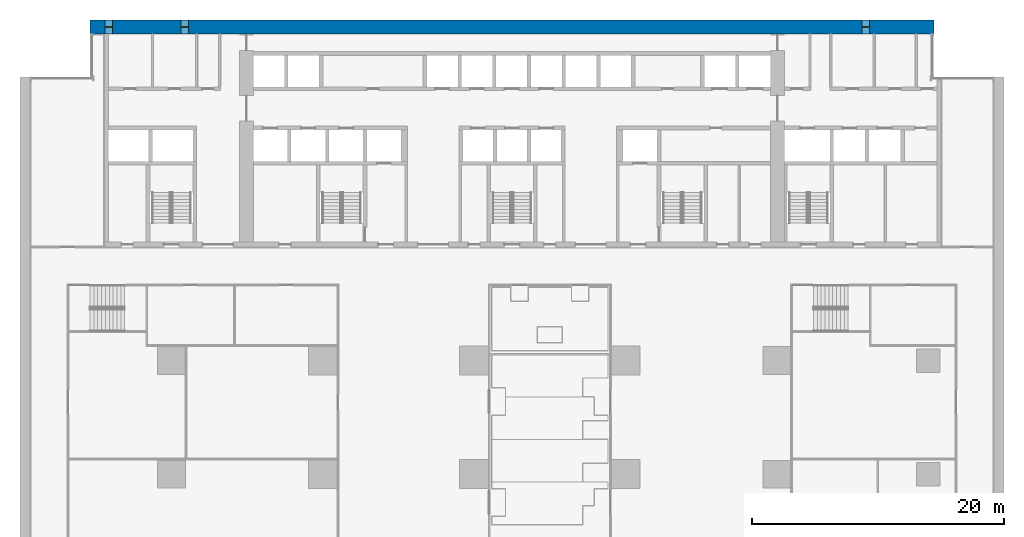
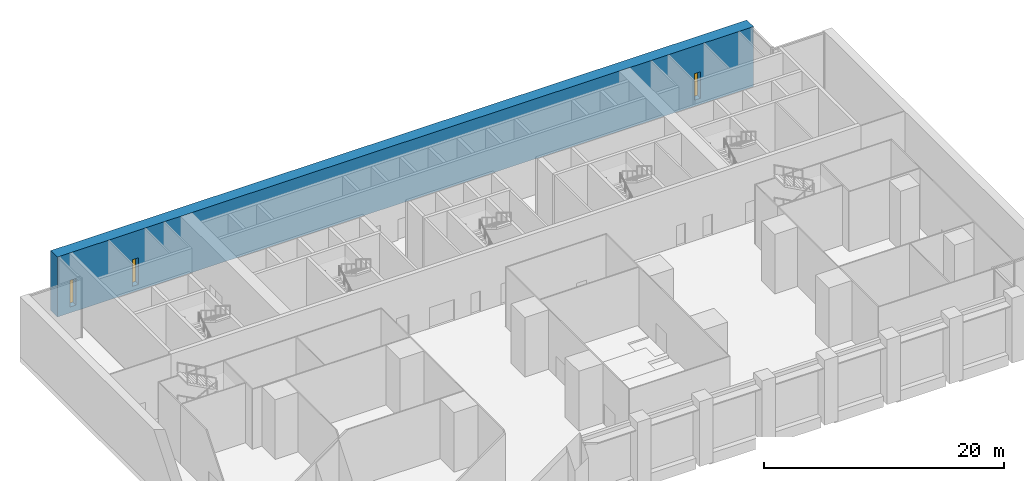
# One storey, part 10 of 18: 3 windows, 1 wall, 3 openings.
"""IFC4 building model written with IfcOpenShell, lengths in metres."""

from ifc_helpers import new_model, si_unit, direction, frame, frame_2d, origin, place, context, subcontext, project, spatial, rectangle, extrude, material, layer, layer_set, type_object, element, fill, save


model = new_model("IFC4")

# Units and contexts
model_context = context("Model", 3, precision=1e-05, world=origin(), true_north=direction((0.0, 1.0)))
body_context = subcontext(model_context, "Body", "Model", "MODEL_VIEW")
ifc_project = project(units=[si_unit("LENGTHUNIT", "METRE"), si_unit("AREAUNIT", "SQUARE_METRE"), si_unit("VOLUMEUNIT", "CUBIC_METRE"), si_unit("PLANEANGLEUNIT", "RADIAN"), si_unit("MASSUNIT", "GRAM", prefix="KILO")], contexts=[model_context])

# Site, building, storey
site_placement = place(None, origin())
site = spatial("IfcSite", under=ifc_project, at=site_placement, CompositionType="ELEMENT")
building_placement = place(site_placement, origin())
building = spatial("IfcBuilding", under=site, at=building_placement, Name="Calvaro Tower", CompositionType="ELEMENT")
storey_placement = place(building_placement, frame((0.0, 0.0, 11.300048828125)))
storey = spatial("IfcBuildingStorey", under=building, at=storey_placement, Name="L02", CompositionType="ELEMENT", Elevation=11.300048828125)

# Wall, openings, windows
ifc_material_1 = material(Name="Concrete C80/95", Category="concrete")
ifc_layer = layer(ifc_material_1, 1.10009765625)
ifc_layer_set = layer_set([ifc_layer], Name="Concrete C80/95")
wall_type = type_object("IfcWallType", Name="Rear core wall 1100 C80/95", PredefinedType="SHEAR", material=ifc_layer_set)
wall_placement = place(storey_placement, frame((5.550048828125, 45.449951171875, 0.0), z_axis=(0.0, 0.0, 1.0), x_axis=(1.0, 0.0, 0.0)))
wall = element("IfcWall", 1, at=wall_placement, inside=storey, type_object=wall_type, Name="North core wall", PredefinedType="SHEAR", context=body_context, shape_type="SweptSolid", body=[
    extrude(rectangle(XDim=66.89990234375, YDim=1.10009765625, at=frame_2d((33.449951171875, 0.0))), origin(), (0.0, 0.0, 1.0), 6.099853515625),
])
opening_1_placement = place(wall_placement, frame((1.199951171875, 0.0, 0.60009765625)))
opening_1 = element("IfcOpeningElement", 2, at=opening_1_placement, cuts=wall, Name="Opening WN01", PredefinedType="OPENING", context=body_context, shape_type="SweptSolid", body=[
    extrude(rectangle(XDim=0.60009765625, YDim=2.699951171875, at=frame_2d((0.300048828125, 1.35009765625))), frame((0.0, 0.56005859375, 0.0), z_axis=(0.0, -1.0, 0.0), x_axis=(1.0, 0.0, 0.0)), (0.0, 0.0, 1.0), 1.1201171875),
])
opening_2_placement = place(wall_placement, frame((7.199951171875, 0.0, 0.60009765625)))
opening_2 = element("IfcOpeningElement", 3, at=opening_2_placement, cuts=wall, Name="Opening WN02", PredefinedType="OPENING", context=body_context, shape_type="SweptSolid", body=[
    extrude(rectangle(XDim=0.60009765625, YDim=2.699951171875, at=frame_2d((0.300048828125, 1.35009765625))), frame((0.0, 0.56005859375, 0.0), z_axis=(0.0, -1.0, 0.0), x_axis=(1.0, 0.0, 0.0)), (0.0, 0.0, 1.0), 1.1201171875),
])
opening_3_placement = place(wall_placement, frame((61.199951171875, 0.0, 0.60009765625)))
opening_3 = element("IfcOpeningElement", 4, at=opening_3_placement, cuts=wall, Name="Opening WN11", PredefinedType="OPENING", context=body_context, shape_type="SweptSolid", body=[
    extrude(rectangle(XDim=0.60009765625, YDim=2.699951171875, at=frame_2d((0.300048828125, 1.35009765625))), frame((0.0, 0.56005859375, 0.0), z_axis=(0.0, -1.0, 0.0), x_axis=(1.0, 0.0, 0.0)), (0.0, 0.0, 1.0), 1.1201171875),
])
ifc_material_2 = material(Name="Glass", Category="glass")
window_type = type_object("IfcWindowType", Name="Slit window 600 x 2700", PartitioningType="SINGLE_PANEL", PredefinedType="WINDOW", material=ifc_material_2)
window_1_placement = place(opening_1_placement, origin())
window_1 = element("IfcWindow", 5, at=window_1_placement, inside=storey, type_object=window_type, Name="Window WN01", OverallHeight=2.699951171875, OverallWidth=0.60009765625, PartitioningType="SINGLE_PANEL", PredefinedType="WINDOW", context=body_context, shape_type="SweptSolid", body=[
    extrude(rectangle(XDim=0.60009765625, YDim=2.699951171875, at=frame_2d((0.300048828125, 1.35009765625))), frame((0.0, 0.030029296875, 0.0), z_axis=(0.0, -1.0, 0.0), x_axis=(1.0, 0.0, 0.0)), (0.0, 0.0, 1.0), 0.06005859375),
])
fill(opening_1, window_1)
window_2_placement = place(opening_2_placement, origin())
window_2 = element("IfcWindow", 6, at=window_2_placement, inside=storey, type_object=window_type, Name="Window WN02", OverallHeight=2.699951171875, OverallWidth=0.60009765625, PartitioningType="SINGLE_PANEL", PredefinedType="WINDOW", context=body_context, shape_type="SweptSolid", body=[
    extrude(rectangle(XDim=0.60009765625, YDim=2.699951171875, at=frame_2d((0.300048828125, 1.35009765625))), frame((0.0, 0.030029296875, 0.0), z_axis=(0.0, -1.0, 0.0), x_axis=(1.0, 0.0, 0.0)), (0.0, 0.0, 1.0), 0.06005859375),
])
fill(opening_2, window_2)
window_3_placement = place(opening_3_placement, origin())
window_3 = element("IfcWindow", 7, at=window_3_placement, inside=storey, type_object=window_type, Name="Window WN11", OverallHeight=2.699951171875, OverallWidth=0.60009765625, PartitioningType="SINGLE_PANEL", PredefinedType="WINDOW", context=body_context, shape_type="SweptSolid", body=[
    extrude(rectangle(XDim=0.60009765625, YDim=2.699951171875, at=frame_2d((0.300048828125, 1.35009765625))), frame((0.0, 0.030029296875, 0.0), z_axis=(0.0, -1.0, 0.0), x_axis=(1.0, 0.0, 0.0)), (0.0, 0.0, 1.0), 0.06005859375),
])
fill(opening_3, window_3)

save(model, "model.ifc")
